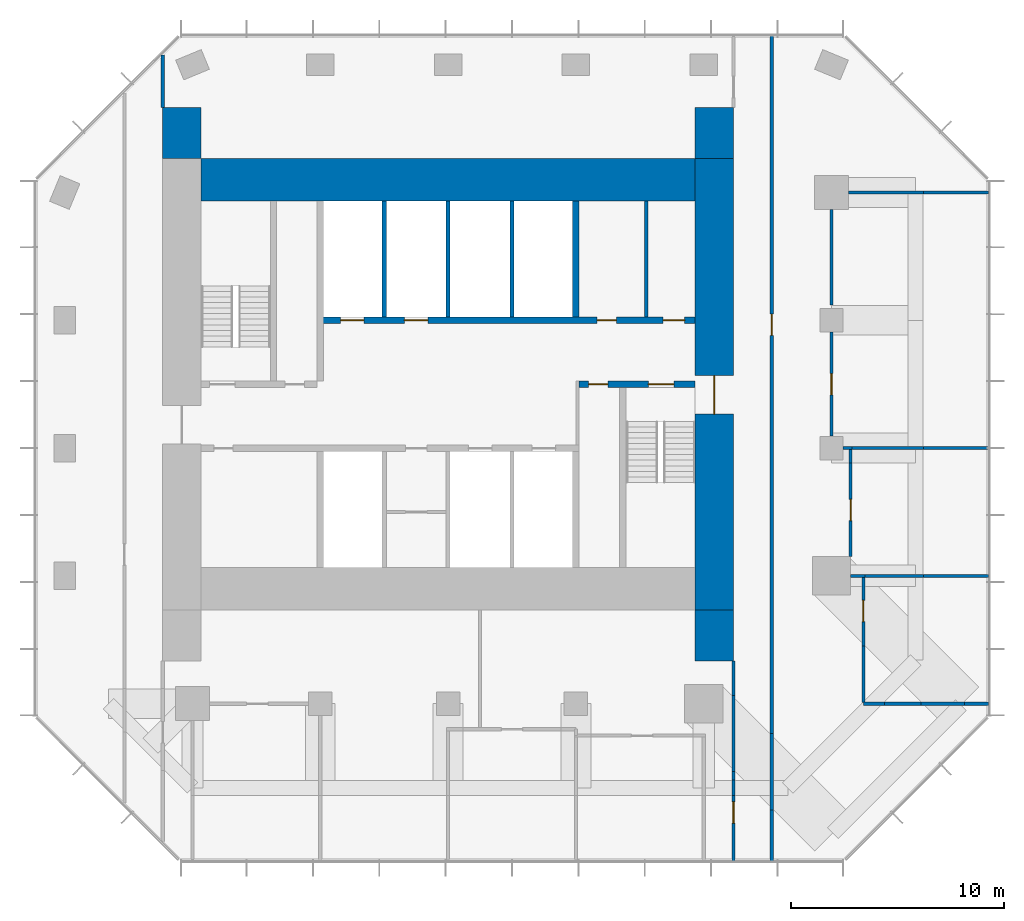
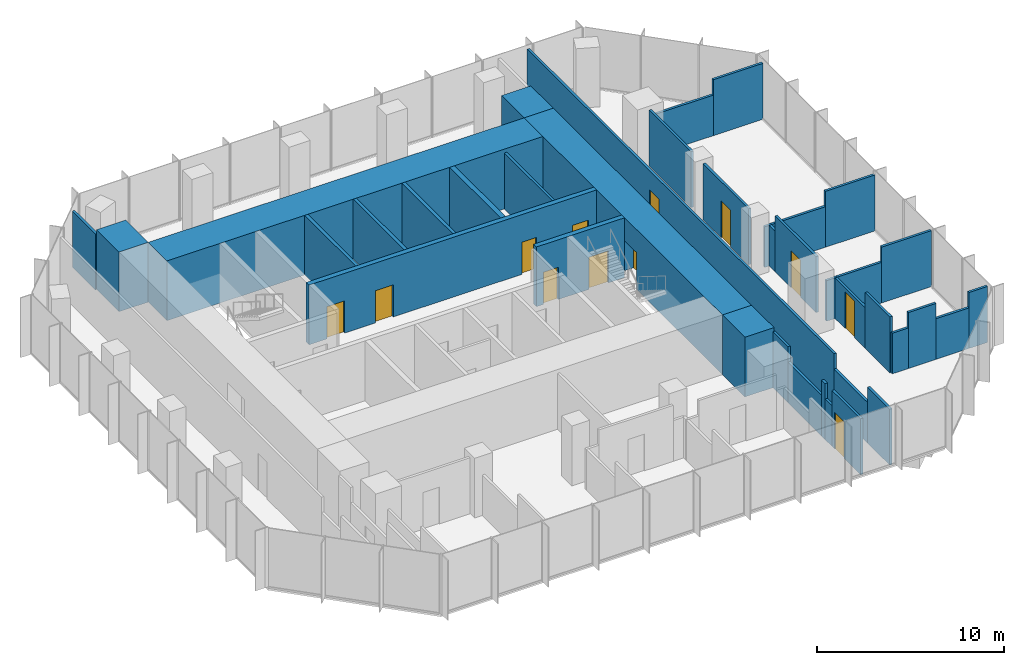
# One storey, part 9 of 11: 39 walls, 12 doors, 12 openings.
"""IFC4 building model written with IfcOpenShell, lengths in metres."""

from ifc_helpers import new_model, si_unit, direction, frame, frame_2d, origin, place, context, subcontext, project, spatial, rectangle, extrude, material, layer, layer_set, type_object, element, fill, save


model = new_model("IFC4")

# Units and contexts
model_context = context("Model", 3, precision=1e-05, world=origin(), true_north=direction((0.0, 1.0)))
body_context = subcontext(model_context, "Body", "Model", "MODEL_VIEW")
ifc_project = project(units=[si_unit("LENGTHUNIT", "METRE"), si_unit("AREAUNIT", "SQUARE_METRE"), si_unit("VOLUMEUNIT", "CUBIC_METRE"), si_unit("PLANEANGLEUNIT", "RADIAN"), si_unit("MASSUNIT", "GRAM", prefix="KILO")], contexts=[model_context])

# Site, building, storey
site_placement = place(None, origin())
site = spatial("IfcSite", under=ifc_project, at=site_placement, CompositionType="ELEMENT")
building_placement = place(site_placement, origin())
building = spatial("IfcBuilding", under=site, at=building_placement, Name="Highveld Stack Headquarters", CompositionType="ELEMENT")
storey_placement = place(building_placement, frame((0.0, 0.0, 272.300048828125)))
storey = spatial("IfcBuildingStorey", under=building, at=storey_placement, Name="L67", CompositionType="ELEMENT", Elevation=272.300048828125)

# Wall, opening, door
ifc_material_1 = material(Name="Concrete C60/75", Category="concrete")
ifc_layer_1 = layer(ifc_material_1, 1.800048828125)
ifc_layer_set_1 = layer_set([ifc_layer_1], Name="Concrete C60/75")
wall_type_1 = type_object("IfcWallType", Name="CORE WALL 1800 C60/75", PredefinedType="SHEAR", material=ifc_layer_set_1)
wall_1_placement = place(storey_placement, frame((18.5, -7.60009765625, 0.0), z_axis=(0.0, 0.0, 1.0), x_axis=(0.0, 1.0, 0.0)))
wall_1 = element("IfcWall", 1, at=wall_1_placement, inside=storey, type_object=wall_type_1, Name="Core wall E L67", PredefinedType="SHEAR", context=body_context, shape_type="SweptSolid", body=[
    extrude(rectangle(XDim=21.2001953125, YDim=1.800048828125, at=frame_2d((10.60009765625, 0.0))), origin(), (0.0, 0.0, 1.0), 3.89990234375),
])
opening_1_placement = place(wall_1_placement, frame((9.199951171875, 0.0, 0.0)))
opening_1 = element("IfcOpeningElement", 2, at=opening_1_placement, cuts=wall_1, Name="Opening L67-02", PredefinedType="OPENING", context=body_context, shape_type="SweptSolid", body=[
    extrude(rectangle(XDim=1.800048828125, YDim=2.39990234375, at=frame_2d((0.89990234375, 1.199951171875))), frame((0.0, 0.909912109375, 0.0), z_axis=(0.0, -1.0, 0.0), x_axis=(1.0, 0.0, 0.0)), (0.0, 0.0, 1.0), 1.820068359375),
])
ifc_material_2 = material(Name="Steel fire door", Category="steel")
door_type_1 = type_object("IfcDoorType", Name="LOBBY FIRE DOOR D4 1800x2400", OperationType="DOUBLE_DOOR_SINGLE_SWING", PredefinedType="DOOR", material=ifc_material_2)
door_1_placement = place(opening_1_placement, origin())
door_1 = element("IfcDoor", 3, at=door_1_placement, inside=storey, type_object=door_type_1, Name="Core east door L67", OperationType="DOUBLE_DOOR_SINGLE_SWING", OverallHeight=2.39990234375, OverallWidth=1.800048828125, PredefinedType="DOOR", context=body_context, shape_type="SweptSolid", body=[
    extrude(rectangle(XDim=1.800048828125, YDim=2.39990234375, at=frame_2d((0.89990234375, 1.199951171875))), frame((0.0, 0.02490234375, 0.0), z_axis=(0.0, -1.0, 0.0), x_axis=(1.0, 0.0, 0.0)), (0.0, 0.0, 1.0), 0.050048828125),
])
fill(opening_1, door_1)

# Wall
ifc_material_3 = material(Name="Concrete C60/75", Category="concrete")
ifc_layer_2 = layer(ifc_material_3, 2.0)
ifc_layer_set_2 = layer_set([ifc_layer_2], Name="Concrete C60/75")
wall_type_2 = type_object("IfcWallType", Name="CORE WALL 2000 C60/75", PredefinedType="SHEAR", material=ifc_layer_set_2)
wall_2_placement = place(storey_placement, frame((-5.60009765625, 12.60009765625, 0.0), z_axis=(0.0, 0.0, 1.0), x_axis=(1.0, 0.0, 0.0)))
element("IfcWall", 4, at=wall_2_placement, inside=storey, type_object=wall_type_2, Name="Core wall N L67", PredefinedType="SHEAR", context=body_context, shape_type="SweptSolid", body=[
    extrude(rectangle(XDim=23.2001953125, YDim=2.0, at=frame_2d((11.60009765625, 0.0))), origin(), (0.0, 0.0, 1.0), 3.89990234375),
])

# Wall, openings, doors
ifc_material_4 = material(Name="Concrete C60/75", Category="concrete")
ifc_layer_3 = layer(ifc_material_4, 0.300048828125)
ifc_layer_set_3 = layer_set([ifc_layer_3], Name="Concrete C60/75")
wall_type_3 = type_object("IfcWallType", Name="CORE WALL 300 C60/75", PredefinedType="SHEAR", material=ifc_layer_set_3)
wall_3_placement = place(storey_placement, frame((12.14990234375, 3.0, 0.0), z_axis=(0.0, 0.0, 1.0), x_axis=(1.0, 0.0, 0.0)))
wall_3 = element("IfcWall", 5, at=wall_3_placement, inside=storey, type_object=wall_type_3, Name="Core wall I-Y3E L67", PredefinedType="SHEAR", context=body_context, shape_type="SweptSolid", body=[
    extrude(rectangle(XDim=5.4501953125, YDim=0.300048828125, at=frame_2d((2.72509765625, 0.0))), origin(), (0.0, 0.0, 1.0), 3.89990234375),
])
opening_2_placement = place(wall_3_placement, frame((3.25, 0.0, 0.0)))
opening_2 = element("IfcOpeningElement", 6, at=opening_2_placement, cuts=wall_3, Name="Opening L67-05", PredefinedType="OPENING", context=body_context, shape_type="SweptSolid", body=[
    extrude(rectangle(XDim=1.199951171875, YDim=2.10009765625, at=frame_2d((0.60009765625, 1.050048828125))), frame((0.0, 0.159912109375, 0.0), z_axis=(0.0, -1.0, 0.0), x_axis=(1.0, 0.0, 0.0)), (0.0, 0.0, 1.0), 0.320068359375),
])
opening_3_placement = place(wall_3_placement, frame((0.449951171875, 0.0, 0.0)))
opening_3 = element("IfcOpeningElement", 7, at=opening_3_placement, cuts=wall_3, Name="Opening L67-06", PredefinedType="OPENING", context=body_context, shape_type="SweptSolid", body=[
    extrude(rectangle(XDim=0.89990234375, YDim=2.10009765625, at=frame_2d((0.449951171875, 1.050048828125))), frame((0.0, 0.159912109375, 0.0), z_axis=(0.0, -1.0, 0.0), x_axis=(1.0, 0.0, 0.0)), (0.0, 0.0, 1.0), 0.320068359375),
])
ifc_material_5 = material(Name="Steel fire door", Category="steel")
door_type_2 = type_object("IfcDoorType", Name="RISER ACCESS DOOR D5 900x2100", OperationType="SINGLE_SWING_LEFT", PredefinedType="DOOR", material=ifc_material_5)
door_2_placement = place(opening_3_placement, origin())
door_2 = element("IfcDoor", 8, at=door_2_placement, inside=storey, type_object=door_type_2, Name="Riser R2 door L67", OperationType="SINGLE_SWING_LEFT", OverallHeight=2.10009765625, OverallWidth=0.89990234375, PredefinedType="DOOR", context=body_context, shape_type="SweptSolid", body=[
    extrude(rectangle(XDim=0.89990234375, YDim=2.10009765625, at=frame_2d((0.449951171875, 1.050048828125))), frame((0.0, 0.02490234375, 0.0), z_axis=(0.0, -1.0, 0.0), x_axis=(1.0, 0.0, 0.0)), (0.0, 0.0, 1.0), 0.050048828125),
])
fill(opening_3, door_2)
ifc_material_6 = material(Name="Steel fire door", Category="steel")
door_type_3 = type_object("IfcDoorType", Name="STAIR FIRE DOOR D3 1200x2100", OperationType="SINGLE_SWING_LEFT", PredefinedType="DOOR", material=ifc_material_6)
door_3_placement = place(opening_2_placement, origin())
door_3 = element("IfcDoor", 9, at=door_3_placement, inside=storey, type_object=door_type_3, Name="Stair S2 door L67", OperationType="SINGLE_SWING_RIGHT", OverallHeight=2.10009765625, OverallWidth=1.199951171875, PredefinedType="DOOR", context=body_context, shape_type="SweptSolid", body=[
    extrude(rectangle(XDim=1.199951171875, YDim=2.10009765625, at=frame_2d((0.60009765625, 1.050048828125))), frame((0.0, 0.02490234375, 0.0), z_axis=(0.0, -1.0, 0.0), x_axis=(1.0, 0.0, 0.0)), (0.0, 0.0, 1.0), 0.050048828125),
])
fill(opening_2, door_3)

wall_4_placement = place(storey_placement, frame((-0.14990234375, 6.0, 0.0), z_axis=(0.0, 0.0, 1.0), x_axis=(1.0, 0.0, 0.0)))
wall_4 = element("IfcWall", 10, at=wall_4_placement, inside=storey, type_object=wall_type_3, Name="Core wall I-Y6 L67", PredefinedType="SHEAR", context=body_context, shape_type="SweptSolid", body=[
    extrude(rectangle(XDim=17.75, YDim=0.300048828125, at=frame_2d((8.875, 0.0))), origin(), (0.0, 0.0, 1.0), 3.89990234375),
])
opening_4_placement = place(wall_4_placement, frame((13.14990234375, 0.0, 0.0)))
opening_4 = element("IfcOpeningElement", 11, at=opening_4_placement, cuts=wall_4, Name="Opening L67-08", PredefinedType="OPENING", context=body_context, shape_type="SweptSolid", body=[
    extrude(rectangle(XDim=0.89990234375, YDim=2.10009765625, at=frame_2d((0.449951171875, 1.050048828125))), frame((0.0, 0.159912109375, 0.0), z_axis=(0.0, -1.0, 0.0), x_axis=(1.0, 0.0, 0.0)), (0.0, 0.0, 1.0), 0.320068359375),
])
opening_5_placement = place(wall_4_placement, frame((16.25, 0.0, 0.0)))
opening_5 = element("IfcOpeningElement", 12, at=opening_5_placement, cuts=wall_4, Name="Opening L67-09", PredefinedType="OPENING", context=body_context, shape_type="SweptSolid", body=[
    extrude(rectangle(XDim=1.0, YDim=2.10009765625, at=frame_2d((0.5, 1.050048828125))), frame((0.0, 0.159912109375, 0.0), z_axis=(0.0, -1.0, 0.0), x_axis=(1.0, 0.0, 0.0)), (0.0, 0.0, 1.0), 0.320068359375),
])
opening_6_placement = place(wall_4_placement, frame((1.10009765625, 0.0, 0.0)))
opening_6 = element("IfcOpeningElement", 13, at=opening_6_placement, cuts=wall_4, Name="Opening LD", PredefinedType="OPENING", context=body_context, shape_type="SweptSolid", body=[
    extrude(rectangle(XDim=1.10009765625, YDim=2.10009765625, at=frame_2d((0.550048828125, 1.050048828125))), frame((0.0, 0.159912109375, 0.0), z_axis=(0.0, -1.0, 0.0), x_axis=(1.0, 0.0, 0.0)), (0.0, 0.0, 1.0), 0.320068359375),
])
opening_7_placement = place(wall_4_placement, frame((4.10009765625, 0.0, 0.0)))
opening_7 = element("IfcOpeningElement", 14, at=opening_7_placement, cuts=wall_4, Name="Opening LD", PredefinedType="OPENING", context=body_context, shape_type="SweptSolid", body=[
    extrude(rectangle(XDim=1.10009765625, YDim=2.10009765625, at=frame_2d((0.550048828125, 1.050048828125))), frame((0.0, 0.159912109375, 0.0), z_axis=(0.0, -1.0, 0.0), x_axis=(1.0, 0.0, 0.0)), (0.0, 0.0, 1.0), 0.320068359375),
])
ifc_material_7 = material(Name="Timber door, painted", Category="wood")
door_type_4 = type_object("IfcDoorType", Name="ACCESSIBLE WC DOOR D2 1000x2100", OperationType="SINGLE_SWING_RIGHT", PredefinedType="DOOR", material=ifc_material_7)
door_4_placement = place(opening_5_placement, origin())
door_4 = element("IfcDoor", 15, at=door_4_placement, inside=storey, type_object=door_type_4, Name="Accessible WC door L67", OperationType="SINGLE_SWING_RIGHT", OverallHeight=2.10009765625, OverallWidth=1.0, PredefinedType="DOOR", context=body_context, shape_type="SweptSolid", body=[
    extrude(rectangle(XDim=1.0, YDim=2.10009765625, at=frame_2d((0.5, 1.050048828125))), frame((0.0, 0.02490234375, 0.0), z_axis=(0.0, -1.0, 0.0), x_axis=(1.0, 0.0, 0.0)), (0.0, 0.0, 1.0), 0.050048828125),
])
fill(opening_5, door_4)
ifc_material_8 = material(Name="Stainless steel lift landing door", Category="steel")
door_type_5 = type_object("IfcDoorType", Name="LIFT LANDING DOOR LD 1100x2100", OperationType="DOUBLE_DOOR_SLIDING", PredefinedType="USERDEFINED", material=ifc_material_8)
door_5_placement = place(opening_6_placement, origin())
door_5 = element("IfcDoor", 16, at=door_5_placement, inside=storey, type_object=door_type_5, Name="Lift landing door FF1 L67", ObjectType="LIFT LANDING DOOR", OperationType="DOUBLE_DOOR_SLIDING", OverallHeight=2.10009765625, OverallWidth=1.10009765625, PredefinedType="USERDEFINED", context=body_context, shape_type="SweptSolid", body=[
    extrude(rectangle(XDim=1.10009765625, YDim=2.10009765625, at=frame_2d((0.550048828125, 1.050048828125))), frame((0.0, 0.02490234375, 0.0), z_axis=(0.0, -1.0, 0.0), x_axis=(1.0, 0.0, 0.0)), (0.0, 0.0, 1.0), 0.050048828125),
])
fill(opening_6, door_5)
door_6_placement = place(opening_7_placement, origin())
door_6 = element("IfcDoor", 17, at=door_6_placement, inside=storey, type_object=door_type_5, Name="Lift landing door FF2 L67", ObjectType="LIFT LANDING DOOR", OperationType="DOUBLE_DOOR_SLIDING", OverallHeight=2.10009765625, OverallWidth=1.10009765625, PredefinedType="USERDEFINED", context=body_context, shape_type="SweptSolid", body=[
    extrude(rectangle(XDim=1.10009765625, YDim=2.10009765625, at=frame_2d((0.550048828125, 1.050048828125))), frame((0.0, 0.02490234375, 0.0), z_axis=(0.0, -1.0, 0.0), x_axis=(1.0, 0.0, 0.0)), (0.0, 0.0, 1.0), 0.050048828125),
])
fill(opening_7, door_6)
ifc_material_9 = material(Name="Timber door, painted", Category="wood")
door_type_6 = type_object("IfcDoorType", Name="WC DOOR D1 900x2100", OperationType="SINGLE_SWING_LEFT", PredefinedType="DOOR", material=ifc_material_9)
door_7_placement = place(opening_4_placement, origin())
door_7 = element("IfcDoor", 18, at=door_7_placement, inside=storey, type_object=door_type_6, Name="Male WC door L67", OperationType="SINGLE_SWING_RIGHT", OverallHeight=2.10009765625, OverallWidth=0.89990234375, PredefinedType="DOOR", context=body_context, shape_type="SweptSolid", body=[
    extrude(rectangle(XDim=0.89990234375, YDim=2.10009765625, at=frame_2d((0.449951171875, 1.050048828125))), frame((0.0, 0.02490234375, 0.0), z_axis=(0.0, -1.0, 0.0), x_axis=(1.0, 0.0, 0.0)), (0.0, 0.0, 1.0), 0.050048828125),
])
fill(opening_4, door_7)

# Walls
wall_5_placement = place(storey_placement, frame((12.0, 6.14990234375, 0.0), z_axis=(0.0, 0.0, 1.0), x_axis=(0.0, 1.0, 0.0)))
element("IfcWall", 19, at=wall_5_placement, inside=storey, type_object=wall_type_3, Name="Core wall I-X12N L67", PredefinedType="SHEAR", context=body_context, shape_type="SweptSolid", body=[
    extrude(rectangle(XDim=5.4501953125, YDim=0.300048828125, at=frame_2d((2.72509765625, 0.0))), origin(), (0.0, 0.0, 1.0), 3.89990234375),
])
ifc_material_10 = material(Name="Concrete C60/75", Category="concrete")
ifc_layer_4 = layer(ifc_material_10, 1.800048828125)
ifc_layer_set_4 = layer_set([ifc_layer_4], Name="Concrete C60/75")
wall_type_4 = type_object("IfcWallType", Name="CORE WING WALL 1800 C60/75", PredefinedType="SHEAR", material=ifc_layer_set_4)
for number, where, z_axis, x_axis, name in (
    (20, (-6.5, 13.60009765625, 0.0), (0.0, 0.0, 1.0), (0.0, 1.0, 0.0), "Core wing wall WN L67"),
    (21, (18.5, -10.0, 0.0), (0.0, 0.0, 1.0), (0.0, 1.0, 0.0), "Core wing wall ES L67"),
    (22, (18.5, 13.60009765625, 0.0), (0.0, 0.0, 1.0), (0.0, 1.0, 0.0), "Core wing wall EN L67"),
):
    element("IfcWall", number, at=place(storey_placement, frame(where, z_axis=z_axis, x_axis=x_axis)), inside=storey, type_object=wall_type_4, Name=name, PredefinedType="SHEAR", context=body_context, shape_type="SweptSolid", body=[
        extrude(rectangle(XDim=2.39990234375, YDim=1.800048828125, at=frame_2d((1.199951171875, 0.0))), origin(), (0.0, 0.0, 1.0), 3.89990234375),
    ])

# Wall, opening, door
ifc_material_11 = material(Name="Laminated glass in aluminium frame", Category="aluminium")
ifc_layer_5 = layer(ifc_material_11, 0.14990234375)
ifc_layer_set_5 = layer_set([ifc_layer_5], Name="Laminated glass in aluminium frame")
wall_type_5 = type_object("IfcWallType", Name="GLAZED PARTITION 150", PredefinedType="PARTITIONING", material=ifc_layer_set_5)
wall_6_placement = place(storey_placement, frame((24.0, 0.56005859375, 0.0), z_axis=(0.0, 0.0, 1.0), x_axis=(0.0, 1.0, 0.0)))
wall_6 = element("IfcWall", 23, at=wall_6_placement, inside=storey, type_object=wall_type_5, Name="Glazed partition Executive meeting room L67", PredefinedType="PARTITIONING", context=body_context, shape_type="SweptSolid", body=[
    extrude(rectangle(XDim=4.8798828125, YDim=0.14990234375, at=frame_2d((2.43994140625, 0.0))), origin(), (0.0, 0.0, 1.0), 3.64990234375),
])
opening_8_placement = place(wall_6_placement, frame((1.93994140625, 0.0, 0.0)))
opening_8 = element("IfcOpeningElement", 24, at=opening_8_placement, cuts=wall_6, Name="Opening L67-17", PredefinedType="OPENING", context=body_context, shape_type="SweptSolid", body=[
    extrude(rectangle(XDim=1.0, YDim=2.39990234375, at=frame_2d((0.5, 1.199951171875))), frame((0.0, 0.0849609375, 0.0), z_axis=(0.0, -1.0, 0.0), x_axis=(1.0, 0.0, 0.0)), (0.0, 0.0, 1.0), 0.169921875),
])
ifc_material_12 = material(Name="Timber door, oiled ash", Category="wood")
door_type_7 = type_object("IfcDoorType", Name="ROOM DOOR D11 1000x2400", OperationType="SINGLE_SWING_LEFT", PredefinedType="DOOR", material=ifc_material_12)
door_8_placement = place(opening_8_placement, origin())
door_8 = element("IfcDoor", 25, at=door_8_placement, inside=storey, type_object=door_type_7, Name="Executive meeting room door 1 L67", OperationType="SINGLE_SWING_LEFT", OverallHeight=2.39990234375, OverallWidth=1.0, PredefinedType="DOOR", context=body_context, shape_type="SweptSolid", body=[
    extrude(rectangle(XDim=1.0, YDim=2.39990234375, at=frame_2d((0.5, 1.199951171875))), frame((0.0, 0.02490234375, 0.0), z_axis=(0.0, -1.0, 0.0), x_axis=(1.0, 0.0, 0.0)), (0.0, 0.0, 1.0), 0.050048828125),
])
fill(opening_8, door_8)

# Walls
wall_7_placement = place(storey_placement, frame((24.0, 6.7099609375, 0.0), z_axis=(0.0, 0.0, 1.0), x_axis=(0.0, 1.0, 0.0)))
element("IfcWall", 26, at=wall_7_placement, inside=storey, type_object=wall_type_5, Name="Glazed partition Executive meeting room L67", PredefinedType="PARTITIONING", context=body_context, shape_type="SweptSolid", body=[
    extrude(rectangle(XDim=4.489990234375, YDim=0.14990234375, at=frame_2d((2.2451171875, 0.0))), origin(), (0.0, 0.0, 1.0), 3.64990234375),
])
ifc_material_13 = material(Name="Concrete blockwork, fair-faced", Category="masonry")
ifc_layer_6 = layer(ifc_material_13, 0.199951171875)
ifc_layer_set_6 = layer_set([ifc_layer_6], Name="Concrete blockwork, fair-faced")
wall_type_6 = type_object("IfcWallType", Name="LIFT SHAFT ENCLOSURE WALL 200 BLOCKWORK", PredefinedType="SOLIDWALL", material=ifc_layer_set_6)
for number, where, z_axis, x_axis, name in (
    (27, (3.0, 6.14990234375, 0.0), (0.0, 0.0, 1.0), (0.0, 1.0, 0.0), "Lift shaft wall L67"),
    (28, (6.0, 6.14990234375, 0.0), (0.0, 0.0, 1.0), (0.0, 1.0, 0.0), "Lift shaft wall L67"),
    (29, (9.0, 6.14990234375, 0.0), (0.0, 0.0, 1.0), (0.0, 1.0, 0.0), "Lift shaft wall L67"),
):
    element("IfcWall", number, at=place(storey_placement, frame(where, z_axis=z_axis, x_axis=x_axis)), inside=storey, type_object=wall_type_6, Name=name, PredefinedType="SOLIDWALL", context=body_context, shape_type="SweptSolid", body=[
        extrude(rectangle(XDim=5.4501953125, YDim=0.199951171875, at=frame_2d((2.72509765625, 0.0))), origin(), (0.0, 0.0, 1.0), 3.89990234375),
    ])
ifc_material_14 = material(Name="Gypsum plasterboard on steel studs", Category="steel")
ifc_layer_7 = layer(ifc_material_14, 0.14990234375)
ifc_layer_set_7 = layer_set([ifc_layer_7], Name="Gypsum plasterboard on steel studs")
wall_type_7 = type_object("IfcWallType", Name="PARTITION 150 PLASTERBOARD", PredefinedType="PARTITIONING", material=ifc_layer_set_7)
wall_8_placement = place(storey_placement, frame((25.5, -12.0, 0.0), z_axis=(0.0, 0.0, 1.0), x_axis=(1.0, 0.0, 0.0)))
element("IfcWall", 30, at=wall_8_placement, inside=storey, type_object=wall_type_7, Name="Partition Quiet room L67", PredefinedType="PARTITIONING", context=body_context, shape_type="SweptSolid", body=[
    extrude(rectangle(XDim=0.989990234375, YDim=0.14990234375, at=frame_2d((0.4951171875, 0.0))), origin(), (0.0, 0.0, 1.0), 2.64990234375),
])
wall_9_placement = place(storey_placement, frame((26.489990234375, -12.0, 0.0), z_axis=(0.0, 0.0, 1.0), x_axis=(1.0, 0.0, 0.0)))
element("IfcWall", 31, at=wall_9_placement, inside=storey, type_object=wall_type_7, Name="Partition Quiet room L67", PredefinedType="PARTITIONING", context=body_context, shape_type="SweptSolid", body=[
    extrude(rectangle(XDim=1.718017578125, YDim=0.14990234375, at=frame_2d((0.85888671875, 0.0))), origin(), (0.0, 0.0, 1.0), 3.64990234375),
])
wall_10_placement = place(storey_placement, frame((28.2080078125, -12.0, 0.0), z_axis=(0.0, 0.0, 1.0), x_axis=(1.0, 0.0, 0.0)))
element("IfcWall", 32, at=wall_10_placement, inside=storey, type_object=wall_type_7, Name="Partition Quiet room L67", PredefinedType="PARTITIONING", context=body_context, shape_type="SweptSolid", body=[
    extrude(rectangle(XDim=2.029052734375, YDim=0.14990234375, at=frame_2d((1.0146484375, 0.0))), origin(), (0.0, 0.0, 1.0), 2.64990234375),
])
wall_11_placement = place(storey_placement, frame((30.237060546875, -12.0, 0.0), z_axis=(0.0, 0.0, 1.0), x_axis=(1.0, 0.0, 0.0)))
element("IfcWall", 33, at=wall_11_placement, inside=storey, type_object=wall_type_7, Name="Partition Quiet room L67", PredefinedType="PARTITIONING", context=body_context, shape_type="SweptSolid", body=[
    extrude(rectangle(XDim=1.137939453125, YDim=0.14990234375, at=frame_2d((0.56884765625, 0.0))), origin(), (0.0, 0.0, 1.0), 3.64990234375),
])
wall_12_placement = place(storey_placement, frame((24.89990234375, -6.0, 0.0), z_axis=(0.0, 0.0, 1.0), x_axis=(1.0, 0.0, 0.0)))
element("IfcWall", 34, at=wall_12_placement, inside=storey, type_object=wall_type_7, Name="Partition Interview room L67", PredefinedType="PARTITIONING", context=body_context, shape_type="SweptSolid", body=[
    extrude(rectangle(XDim=0.675048828125, YDim=0.14990234375, at=frame_2d((0.33740234375, 0.0))), origin(), (0.0, 0.0, 1.0), 2.64990234375),
])
wall_13_placement = place(storey_placement, frame((25.5, -6.0, 0.0), z_axis=(0.0, 0.0, 1.0), x_axis=(1.0, 0.0, 0.0)))
element("IfcWall", 35, at=wall_13_placement, inside=storey, type_object=wall_type_7, Name="Partition Interview room / Quiet room L67", PredefinedType="PARTITIONING", context=body_context, shape_type="SweptSolid", body=[
    extrude(rectangle(XDim=2.81005859375, YDim=0.14990234375, at=frame_2d((1.405029296875, 0.0))), origin(), (0.0, 0.0, 1.0), 2.64990234375),
])
wall_14_placement = place(storey_placement, frame((28.31005859375, -6.0, 0.0), z_axis=(0.0, 0.0, 1.0), x_axis=(1.0, 0.0, 0.0)))
element("IfcWall", 36, at=wall_14_placement, inside=storey, type_object=wall_type_7, Name="Partition Interview room / Quiet room L67", PredefinedType="PARTITIONING", context=body_context, shape_type="SweptSolid", body=[
    extrude(rectangle(XDim=3.06494140625, YDim=0.14990234375, at=frame_2d((1.532470703125, 0.0))), origin(), (0.0, 0.0, 1.0), 3.64990234375),
])
wall_15_placement = place(storey_placement, frame((24.550048828125, 0.0, 0.0), z_axis=(0.0, 0.0, 1.0), x_axis=(1.0, 0.0, 0.0)))
element("IfcWall", 37, at=wall_15_placement, inside=storey, type_object=wall_type_7, Name="Partition Executive meeting room L67", PredefinedType="PARTITIONING", context=body_context, shape_type="SweptSolid", body=[
    extrude(rectangle(XDim=0.425048828125, YDim=0.14990234375, at=frame_2d((0.21240234375, 0.0))), origin(), (0.0, 0.0, 1.0), 2.64990234375),
])
wall_16_placement = place(storey_placement, frame((24.89990234375, 0.0, 0.0), z_axis=(0.0, 0.0, 1.0), x_axis=(1.0, 0.0, 0.0)))
element("IfcWall", 38, at=wall_16_placement, inside=storey, type_object=wall_type_7, Name="Partition Executive meeting room / Interview room L67", PredefinedType="PARTITIONING", context=body_context, shape_type="SweptSolid", body=[
    extrude(rectangle(XDim=3.41015625, YDim=0.14990234375, at=frame_2d((1.705078125, 0.0))), origin(), (0.0, 0.0, 1.0), 2.64990234375),
])
wall_17_placement = place(storey_placement, frame((28.31005859375, 0.0, 0.0), z_axis=(0.0, 0.0, 1.0), x_axis=(1.0, 0.0, 0.0)))
element("IfcWall", 39, at=wall_17_placement, inside=storey, type_object=wall_type_7, Name="Partition Executive meeting room / Interview room L67", PredefinedType="PARTITIONING", context=body_context, shape_type="SweptSolid", body=[
    extrude(rectangle(XDim=3.0400390625, YDim=0.14990234375, at=frame_2d((1.52001953125, 0.0))), origin(), (0.0, 0.0, 1.0), 3.64990234375),
])
wall_18_placement = place(storey_placement, frame((24.800048828125, 12.0, 0.0), z_axis=(0.0, 0.0, 1.0), x_axis=(1.0, 0.0, 0.0)))
element("IfcWall", 40, at=wall_18_placement, inside=storey, type_object=wall_type_7, Name="Partition Executive meeting room L67", PredefinedType="PARTITIONING", context=body_context, shape_type="SweptSolid", body=[
    extrude(rectangle(XDim=3.510009765625, YDim=0.14990234375, at=frame_2d((1.7548828125, 0.0))), origin(), (0.0, 0.0, 1.0), 2.64990234375),
])
wall_19_placement = place(storey_placement, frame((28.31005859375, 12.0, 0.0), z_axis=(0.0, 0.0, 1.0), x_axis=(1.0, 0.0, 0.0)))
element("IfcWall", 41, at=wall_19_placement, inside=storey, type_object=wall_type_7, Name="Partition Executive meeting room L67", PredefinedType="PARTITIONING", context=body_context, shape_type="SweptSolid", body=[
    extrude(rectangle(XDim=3.06494140625, YDim=0.14990234375, at=frame_2d((1.532470703125, 0.0))), origin(), (0.0, 0.0, 1.0), 3.64990234375),
])

# Wall, opening, door
wall_20_placement = place(storey_placement, frame((24.89990234375, -5.10009765625, 0.0), z_axis=(0.0, 0.0, 1.0), x_axis=(0.0, 1.0, 0.0)))
wall_20 = element("IfcWall", 42, at=wall_20_placement, inside=storey, type_object=wall_type_7, Name="Partition Interview room L67", PredefinedType="PARTITIONING", context=body_context, shape_type="SweptSolid", body=[
    extrude(rectangle(XDim=4.39013671875, YDim=0.14990234375, at=frame_2d((2.195068359375, 0.0))), origin(), (0.0, 0.0, 1.0), 3.64990234375),
])
opening_9_placement = place(wall_20_placement, frame((1.695068359375, 0.0, 0.0)))
opening_9 = element("IfcOpeningElement", 43, at=opening_9_placement, cuts=wall_20, Name="Opening L67-16", PredefinedType="OPENING", context=body_context, shape_type="SweptSolid", body=[
    extrude(rectangle(XDim=1.0, YDim=2.39990234375, at=frame_2d((0.5, 1.199951171875))), frame((0.0, 0.0849609375, 0.0), z_axis=(0.0, -1.0, 0.0), x_axis=(1.0, 0.0, 0.0)), (0.0, 0.0, 1.0), 0.169921875),
])
door_9_placement = place(opening_9_placement, origin())
door_9 = element("IfcDoor", 44, at=door_9_placement, inside=storey, type_object=door_type_7, Name="Interview room door 1 L67", OperationType="SINGLE_SWING_LEFT", OverallHeight=2.39990234375, OverallWidth=1.0, PredefinedType="DOOR", context=body_context, shape_type="SweptSolid", body=[
    extrude(rectangle(XDim=1.0, YDim=2.39990234375, at=frame_2d((0.5, 1.199951171875))), frame((0.0, 0.02490234375, 0.0), z_axis=(0.0, -1.0, 0.0), x_axis=(1.0, 0.0, 0.0)), (0.0, 0.0, 1.0), 0.050048828125),
])
fill(opening_9, door_9)

# Walls
wall_21_placement = place(storey_placement, frame((24.89990234375, -0.7099609375, 0.0), z_axis=(0.0, 0.0, 1.0), x_axis=(0.0, 1.0, 0.0)))
element("IfcWall", 45, at=wall_21_placement, inside=storey, type_object=wall_type_7, Name="Partition Interview room L67", PredefinedType="PARTITIONING", context=body_context, shape_type="SweptSolid", body=[
    extrude(rectangle(XDim=0.635009765625, YDim=0.14990234375, at=frame_2d((0.3173828125, 0.0))), origin(), (0.0, 0.0, 1.0), 2.64990234375),
])
wall_22_placement = place(storey_placement, frame((25.5, -11.93505859375, 0.0), z_axis=(0.0, 0.0, 1.0), x_axis=(0.0, 1.0, 0.0)))
element("IfcWall", 46, at=wall_22_placement, inside=storey, type_object=wall_type_7, Name="Partition Quiet room L67", PredefinedType="PARTITIONING", context=body_context, shape_type="SweptSolid", body=[
    extrude(rectangle(XDim=2.64306640625, YDim=0.14990234375, at=frame_2d((1.321533203125, 0.0))), origin(), (0.0, 0.0, 1.0), 3.64990234375),
])

# Wall, opening, door
wall_23_placement = place(storey_placement, frame((25.5, -9.2919921875, 0.0), z_axis=(0.0, 0.0, 1.0), x_axis=(0.0, 1.0, 0.0)))
wall_23 = element("IfcWall", 47, at=wall_23_placement, inside=storey, type_object=wall_type_7, Name="Partition Quiet room L67", PredefinedType="PARTITIONING", context=body_context, shape_type="SweptSolid", body=[
    extrude(rectangle(XDim=3.217041015625, YDim=0.14990234375, at=frame_2d((1.6083984375, 0.0))), origin(), (0.0, 0.0, 1.0), 2.64990234375),
])
opening_10_placement = place(wall_23_placement, frame((1.14599609375, 0.0, 0.0)))
opening_10 = element("IfcOpeningElement", 48, at=opening_10_placement, cuts=wall_23, Name="Opening L67-15", PredefinedType="OPENING", context=body_context, shape_type="SweptSolid", body=[
    extrude(rectangle(XDim=1.0, YDim=2.39990234375, at=frame_2d((0.5, 1.199951171875))), frame((0.0, 0.0849609375, 0.0), z_axis=(0.0, -1.0, 0.0), x_axis=(1.0, 0.0, 0.0)), (0.0, 0.0, 1.0), 0.169921875),
])
door_10_placement = place(opening_10_placement, origin())
door_10 = element("IfcDoor", 49, at=door_10_placement, inside=storey, type_object=door_type_7, Name="Quiet room door 1 L67", OperationType="SINGLE_SWING_RIGHT", OverallHeight=2.39990234375, OverallWidth=1.0, PredefinedType="DOOR", context=body_context, shape_type="SweptSolid", body=[
    extrude(rectangle(XDim=1.0, YDim=2.39990234375, at=frame_2d((0.5, 1.199951171875))), frame((0.0, 0.02490234375, 0.0), z_axis=(0.0, -1.0, 0.0), x_axis=(1.0, 0.0, 0.0)), (0.0, 0.0, 1.0), 0.050048828125),
])
fill(opening_10, door_10)

# Wall
wall_24_placement = place(storey_placement, frame((-7.39990234375, 16.0, 0.0), z_axis=(0.0, 0.0, 1.0), x_axis=(0.0, 1.0, 0.0)))
element("IfcWall", 50, at=wall_24_placement, inside=storey, type_object=wall_type_7, Name="Partition office neighbourhood L67", PredefinedType="PARTITIONING", context=body_context, shape_type="SweptSolid", body=[
    extrude(rectangle(XDim=2.464111328125, YDim=0.14990234375, at=frame_2d((1.23193359375, 0.0))), origin(), (0.0, 0.0, 1.0), 3.64990234375),
])

# Wall, opening, door
wall_25_placement = place(storey_placement, frame((19.39990234375, -19.375, 0.0), z_axis=(0.0, 0.0, 1.0), x_axis=(0.0, 1.0, 0.0)))
wall_25 = element("IfcWall", 51, at=wall_25_placement, inside=storey, type_object=wall_type_7, Name="Partition office neighbourhood L67", PredefinedType="PARTITIONING", context=body_context, shape_type="SweptSolid", body=[
    extrude(rectangle(XDim=3.06494140625, YDim=0.14990234375, at=frame_2d((1.532470703125, 0.0))), origin(), (0.0, 0.0, 1.0), 3.64990234375),
])
opening_11_placement = place(wall_25_placement, frame((1.764892578125, 0.0, 0.0)))
opening_11 = element("IfcOpeningElement", 52, at=opening_11_placement, cuts=wall_25, Name="Opening L67-18", PredefinedType="OPENING", context=body_context, shape_type="SweptSolid", body=[
    extrude(rectangle(XDim=1.0, YDim=2.39990234375, at=frame_2d((0.5, 1.199951171875))), frame((0.0, 0.0849609375, 0.0), z_axis=(0.0, -1.0, 0.0), x_axis=(1.0, 0.0, 0.0)), (0.0, 0.0, 1.0), 0.169921875),
])
door_11_placement = place(opening_11_placement, origin())
door_11 = element("IfcDoor", 53, at=door_11_placement, inside=storey, type_object=door_type_7, Name="Office neighbourhood door L67", OperationType="SINGLE_SWING_RIGHT", OverallHeight=2.39990234375, OverallWidth=1.0, PredefinedType="DOOR", context=body_context, shape_type="SweptSolid", body=[
    extrude(rectangle(XDim=1.0, YDim=2.39990234375, at=frame_2d((0.5, 1.199951171875))), frame((0.0, 0.02490234375, 0.0), z_axis=(0.0, -1.0, 0.0), x_axis=(1.0, 0.0, 0.0)), (0.0, 0.0, 1.0), 0.050048828125),
])
fill(opening_11, door_11)

# Walls
wall_26_placement = place(storey_placement, frame((19.39990234375, -16.31005859375, 0.0), z_axis=(0.0, 0.0, 1.0), x_axis=(0.0, 1.0, 0.0)))
element("IfcWall", 54, at=wall_26_placement, inside=storey, type_object=wall_type_7, Name="Partition office neighbourhood L67", PredefinedType="PARTITIONING", context=body_context, shape_type="SweptSolid", body=[
    extrude(rectangle(XDim=0.719970703125, YDim=0.14990234375, at=frame_2d((0.35986328125, 0.0))), origin(), (0.0, 0.0, 1.0), 2.64990234375),
])
wall_27_placement = place(storey_placement, frame((19.39990234375, -15.590087890625, 0.0), z_axis=(0.0, 0.0, 1.0), x_axis=(0.0, 1.0, 0.0)))
element("IfcWall", 55, at=wall_27_placement, inside=storey, type_object=wall_type_7, Name="Partition office neighbourhood L67", PredefinedType="PARTITIONING", context=body_context, shape_type="SweptSolid", body=[
    extrude(rectangle(XDim=0.39794921875, YDim=0.14990234375, at=frame_2d((0.198974609375, 0.0))), origin(), (0.0, 0.0, 1.0), 3.64990234375),
])
wall_28_placement = place(storey_placement, frame((19.39990234375, -15.192138671875, 0.0), z_axis=(0.0, 0.0, 1.0), x_axis=(0.0, 1.0, 0.0)))
element("IfcWall", 56, at=wall_28_placement, inside=storey, type_object=wall_type_7, Name="Partition office neighbourhood L67", PredefinedType="PARTITIONING", context=body_context, shape_type="SweptSolid", body=[
    extrude(rectangle(XDim=3.584228515625, YDim=0.14990234375, at=frame_2d((1.7919921875, 0.0))), origin(), (0.0, 0.0, 1.0), 2.64990234375),
])
wall_29_placement = place(storey_placement, frame((19.39990234375, -11.60791015625, 0.0), z_axis=(0.0, 0.0, 1.0), x_axis=(0.0, 1.0, 0.0)))
element("IfcWall", 57, at=wall_29_placement, inside=storey, type_object=wall_type_7, Name="Partition office neighbourhood L67", PredefinedType="PARTITIONING", context=body_context, shape_type="SweptSolid", body=[
    extrude(rectangle(XDim=1.60791015625, YDim=0.14990234375, at=frame_2d((0.803955078125, 0.0))), origin(), (0.0, 0.0, 1.0), 3.64990234375),
])
wall_30_placement = place(storey_placement, frame((21.199951171875, -19.375, 0.0), z_axis=(0.0, 0.0, 1.0), x_axis=(0.0, 1.0, 0.0)))
element("IfcWall", 58, at=wall_30_placement, inside=storey, type_object=wall_type_7, Name="Partition office neighbourhood L67", PredefinedType="PARTITIONING", context=body_context, shape_type="SweptSolid", body=[
    extrude(rectangle(XDim=2.3828125, YDim=0.14990234375, at=frame_2d((1.19140625, 0.0))), origin(), (0.0, 0.0, 1.0), 3.64990234375),
])
wall_31_placement = place(storey_placement, frame((21.199951171875, -16.9921875, 0.0), z_axis=(0.0, 0.0, 1.0), x_axis=(0.0, 1.0, 0.0)))
element("IfcWall", 59, at=wall_31_placement, inside=storey, type_object=wall_type_7, Name="Partition office neighbourhood L67", PredefinedType="PARTITIONING", context=body_context, shape_type="SweptSolid", body=[
    extrude(rectangle(XDim=3.584228515625, YDim=0.14990234375, at=frame_2d((1.7919921875, 0.0))), origin(), (0.0, 0.0, 1.0), 2.64990234375),
])

# Wall, opening, door
wall_32_placement = place(storey_placement, frame((21.199951171875, -13.407958984375, 0.0), z_axis=(0.0, 0.0, 1.0), x_axis=(0.0, 1.0, 0.0)))
wall_32 = element("IfcWall", 60, at=wall_32_placement, inside=storey, type_object=wall_type_7, Name="Partition office neighbourhood L67", PredefinedType="PARTITIONING", context=body_context, shape_type="SweptSolid", body=[
    extrude(rectangle(XDim=32.782958984375, YDim=0.14990234375, at=frame_2d((16.3916015625, 0.0))), origin(), (0.0, 0.0, 1.0), 3.64990234375),
])
opening_12_placement = place(wall_32_placement, frame((18.697998046875, 0.0, 0.0)))
opening_12 = element("IfcOpeningElement", 61, at=opening_12_placement, cuts=wall_32, Name="Opening L67-19", PredefinedType="OPENING", context=body_context, shape_type="SweptSolid", body=[
    extrude(rectangle(XDim=1.0, YDim=2.39990234375, at=frame_2d((0.5, 1.199951171875))), frame((0.0, 0.0849609375, 0.0), z_axis=(0.0, -1.0, 0.0), x_axis=(1.0, 0.0, 0.0)), (0.0, 0.0, 1.0), 0.169921875),
])
door_12_placement = place(opening_12_placement, origin())
door_12 = element("IfcDoor", 62, at=door_12_placement, inside=storey, type_object=door_type_7, Name="Office neighbourhood door L67", OperationType="SINGLE_SWING_RIGHT", OverallHeight=2.39990234375, OverallWidth=1.0, PredefinedType="DOOR", context=body_context, shape_type="SweptSolid", body=[
    extrude(rectangle(XDim=1.0, YDim=2.39990234375, at=frame_2d((0.5, 1.199951171875))), frame((0.0, 0.02490234375, 0.0), z_axis=(0.0, -1.0, 0.0), x_axis=(1.0, 0.0, 0.0)), (0.0, 0.0, 1.0), 0.050048828125),
])
fill(opening_12, door_12)

# Wall
ifc_material_15 = material(Name="Concrete blockwork, tiled", Category="masonry")
ifc_layer_8 = layer(ifc_material_15, 0.14990234375)
ifc_layer_set_8 = layer_set([ifc_layer_8], Name="Concrete blockwork, tiled")
wall_type_8 = type_object("IfcWallType", Name="WC PARTITION 150", PredefinedType="PLUMBINGWALL", material=ifc_layer_set_8)
wall_33_placement = place(storey_placement, frame((15.300048828125, 6.14990234375, 0.0), z_axis=(0.0, 0.0, 1.0), x_axis=(0.0, 1.0, 0.0)))
element("IfcWall", 63, at=wall_33_placement, inside=storey, type_object=wall_type_8, Name="Toilet partition L67", PredefinedType="PLUMBINGWALL", context=body_context, shape_type="SweptSolid", body=[
    extrude(rectangle(XDim=5.4501953125, YDim=0.14990234375, at=frame_2d((2.72509765625, 0.0))), origin(), (0.0, 0.0, 1.0), 3.64990234375),
])

save(model, "model.ifc")
